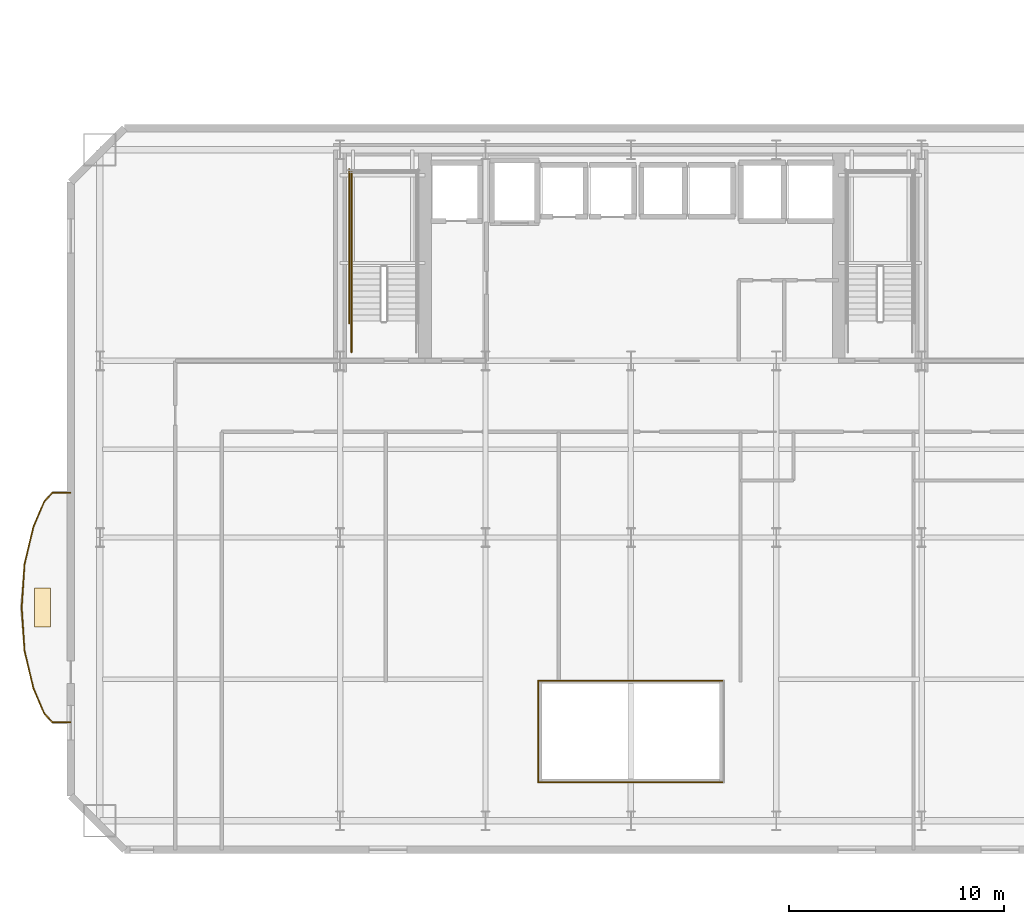
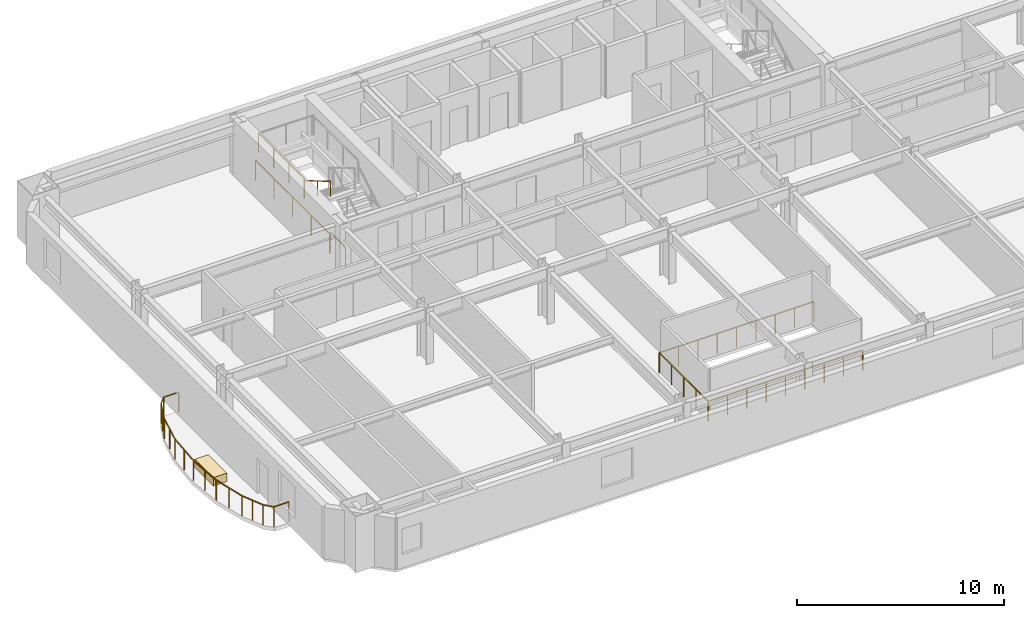
# One storey, part 11 of 16: 17 railings, 1 covering.
"""IFC4 building model written with IfcOpenShell, lengths in metres."""

from ifc_helpers import new_model, si_unit, direction, frame, origin, origin_2d, place, context, subcontext, project, spatial, rectangle, extrude, material, layer, layer_set, type_object, element, save


model = new_model("IFC4")

# Units and contexts
model_context = context("Model", 3, precision=1e-05, world=origin(), true_north=direction((0.0, 1.0)))
body_context = subcontext(model_context, "Body", "Model", "MODEL_VIEW")
ifc_project = project(units=[si_unit("LENGTHUNIT", "METRE"), si_unit("AREAUNIT", "SQUARE_METRE"), si_unit("VOLUMEUNIT", "CUBIC_METRE"), si_unit("PLANEANGLEUNIT", "RADIAN"), si_unit("MASSUNIT", "GRAM", prefix="KILO")], contexts=[model_context])

# Site, building, storey
site_placement = place(None, origin())
site = spatial("IfcSite", under=ifc_project, at=site_placement, CompositionType="ELEMENT")
building_placement = place(site_placement, origin())
building = spatial("IfcBuilding", under=site, at=building_placement, Name="Haevon Station Towers", CompositionType="ELEMENT")
storey_placement = place(building_placement, frame((0.0, 0.0, 57.0)))
storey = spatial("IfcBuildingStorey", under=building, at=storey_placement, Name="L14", CompositionType="ELEMENT", Elevation=57.0)

# Railings
ifc_material_1 = material(Name="Steel S355", Category="steel")
railing_type_1 = type_object("IfcRailingType", Name="BAL-ATR1200", PredefinedType="BALUSTRADE", material=ifc_material_1)
railing_1_placement = place(storey_placement, frame((33.19482421875, 18.642333984375, 0.0)))
element("IfcRailing", 1, at=railing_1_placement, inside=storey, type_object=railing_type_1, Name="L14 Atrium Void Balustrade 1", PredefinedType="BALUSTRADE", context=body_context, shape_type="SweptSolid", body=[
    extrude(rectangle(XDim=0.048095703125, YDim=0.048095703125, at=origin_2d()), frame((0.0, 0.0, 1.17578125), z_axis=(1.0, 0.0, 0.0), x_axis=(0.0, 1.0, 0.0)), (0.0, 0.0, 1.0), 8.6103515625),
    extrude(rectangle(XDim=0.0419921875, YDim=0.0419921875, at=origin_2d()), origin(), (0.0, 0.0, 1.0), 1.15185546875),
    extrude(rectangle(XDim=0.0419921875, YDim=0.0419921875, at=origin_2d()), frame((1.076171875, 0.0, 0.0)), (0.0, 0.0, 1.0), 1.15185546875),
    extrude(rectangle(XDim=0.0419921875, YDim=0.0419921875, at=origin_2d()), frame((2.152587890625, 0.0, 0.0)), (0.0, 0.0, 1.0), 1.15185546875),
    extrude(rectangle(XDim=0.0419921875, YDim=0.0419921875, at=origin_2d()), frame((3.22900390625, 0.0, 0.0)), (0.0, 0.0, 1.0), 1.15185546875),
    extrude(rectangle(XDim=0.0419921875, YDim=0.0419921875, at=origin_2d()), frame((4.30517578125, 0.0, 0.0)), (0.0, 0.0, 1.0), 1.15185546875),
    extrude(rectangle(XDim=0.0419921875, YDim=0.0419921875, at=origin_2d()), frame((5.38134765625, 0.0, 0.0)), (0.0, 0.0, 1.0), 1.15185546875),
    extrude(rectangle(XDim=0.0419921875, YDim=0.0419921875, at=origin_2d()), frame((6.457763671875, 0.0, 0.0)), (0.0, 0.0, 1.0), 1.15185546875),
    extrude(rectangle(XDim=0.0419921875, YDim=0.0419921875, at=origin_2d()), frame((7.5341796875, 0.0, 0.0)), (0.0, 0.0, 1.0), 1.15185546875),
    extrude(rectangle(XDim=0.0419921875, YDim=0.0419921875, at=origin_2d()), frame((8.6103515625, 0.0, 0.0)), (0.0, 0.0, 1.0), 1.15185546875),
])
railing_2_placement = place(storey_placement, frame((41.80517578125, 23.357666015625, 0.0)))
element("IfcRailing", 2, at=railing_2_placement, inside=storey, type_object=railing_type_1, Name="L14 Atrium Void Balustrade 3", PredefinedType="BALUSTRADE", context=body_context, shape_type="SweptSolid", body=[
    extrude(rectangle(XDim=0.048095703125, YDim=0.048095703125, at=origin_2d()), frame((0.0, 0.0, 1.17578125), z_axis=(-1.0, 0.0, 0.0), x_axis=(0.0, -1.0, 0.0)), (0.0, 0.0, 1.0), 8.6103515625),
    extrude(rectangle(XDim=0.0419921875, YDim=0.0419921875, at=origin_2d()), origin(), (0.0, 0.0, 1.0), 1.15185546875),
    extrude(rectangle(XDim=0.0419921875, YDim=0.0419921875, at=origin_2d()), frame((-1.076171875, 0.0, 0.0)), (0.0, 0.0, 1.0), 1.15185546875),
    extrude(rectangle(XDim=0.0419921875, YDim=0.0419921875, at=origin_2d()), frame((-2.152587890625, 0.0, 0.0)), (0.0, 0.0, 1.0), 1.15185546875),
    extrude(rectangle(XDim=0.0419921875, YDim=0.0419921875, at=origin_2d()), frame((-3.22900390625, 0.0, 0.0)), (0.0, 0.0, 1.0), 1.15185546875),
    extrude(rectangle(XDim=0.0419921875, YDim=0.0419921875, at=origin_2d()), frame((-4.30517578125, 0.0, 0.0)), (0.0, 0.0, 1.0), 1.15185546875),
    extrude(rectangle(XDim=0.0419921875, YDim=0.0419921875, at=origin_2d()), frame((-5.38134765625, 0.0, 0.0)), (0.0, 0.0, 1.0), 1.15185546875),
    extrude(rectangle(XDim=0.0419921875, YDim=0.0419921875, at=origin_2d()), frame((-6.457763671875, 0.0, 0.0)), (0.0, 0.0, 1.0), 1.15185546875),
    extrude(rectangle(XDim=0.0419921875, YDim=0.0419921875, at=origin_2d()), frame((-7.5341796875, 0.0, 0.0)), (0.0, 0.0, 1.0), 1.15185546875),
    extrude(rectangle(XDim=0.0419921875, YDim=0.0419921875, at=origin_2d()), frame((-8.6103515625, 0.0, 0.0)), (0.0, 0.0, 1.0), 1.15185546875),
])
railing_3_placement = place(storey_placement, frame((33.19482421875, 23.357666015625, 0.0)))
element("IfcRailing", 3, at=railing_3_placement, inside=storey, type_object=railing_type_1, Name="L14 Atrium Void Balustrade 4", PredefinedType="BALUSTRADE", context=body_context, shape_type="SweptSolid", body=[
    extrude(rectangle(XDim=0.048095703125, YDim=0.048095703125, at=origin_2d()), frame((0.0, 0.0, 1.17578125), z_axis=(0.0, -1.0, 0.0), x_axis=(1.0, 0.0, 0.0)), (0.0, 0.0, 1.0), 4.71533203125),
    extrude(rectangle(XDim=0.0419921875, YDim=0.0419921875, at=origin_2d()), origin(), (0.0, 0.0, 1.0), 1.15185546875),
    extrude(rectangle(XDim=0.0419921875, YDim=0.0419921875, at=origin_2d()), frame((0.0, -1.1787109375, 0.0)), (0.0, 0.0, 1.0), 1.15185546875),
    extrude(rectangle(XDim=0.0419921875, YDim=0.0419921875, at=origin_2d()), frame((0.0, -2.357666015625, 0.0)), (0.0, 0.0, 1.0), 1.15185546875),
    extrude(rectangle(XDim=0.0419921875, YDim=0.0419921875, at=origin_2d()), frame((0.0, -3.53662109375, 0.0)), (0.0, 0.0, 1.0), 1.15185546875),
    extrude(rectangle(XDim=0.0419921875, YDim=0.0419921875, at=origin_2d()), frame((0.0, -4.71533203125, 0.0)), (0.0, 0.0, 1.0), 1.15185546875),
])
railing_type_2 = type_object("IfcRailingType", Name="GRD-EXT1200", PredefinedType="GUARDRAIL", material=ifc_material_1)
railing_4_placement = place(storey_placement, frame((11.476318359375, 32.072265625, 0.0)))
element("IfcRailing", 4, at=railing_4_placement, inside=storey, type_object=railing_type_2, Name="L14 Perimeter Guardrail 1", PredefinedType="GUARDRAIL", context=body_context, shape_type="SweptSolid", body=[
    extrude(rectangle(XDim=0.048095703125, YDim=0.048095703125, at=origin_2d()), frame((0.0, 0.0, 1.17578125), z_axis=(-0.999997284808, -0.002330317005, 0.0), x_axis=(0.002330317005, -0.999997284808, 0.0)), (0.0, 0.0, 1.0), 0.838134765625),
    extrude(rectangle(XDim=0.0419921875, YDim=0.0419921875, at=origin_2d()), origin(), (0.0, 0.0, 1.0), 1.15185546875),
    extrude(rectangle(XDim=0.0419921875, YDim=0.0419921875, at=origin_2d()), frame((-0.838134765625, -0.001953125, 0.0)), (0.0, 0.0, 1.0), 1.15185546875),
])
railing_5_placement = place(storey_placement, frame((10.63818359375, 32.0703125, 0.0)))
element("IfcRailing", 5, at=railing_5_placement, inside=storey, type_object=railing_type_2, Name="L14 Perimeter Guardrail 2", PredefinedType="GUARDRAIL", context=body_context, shape_type="SweptSolid", body=[
    extrude(rectangle(XDim=0.048095703125, YDim=0.048095703125, at=origin_2d()), frame((0.0, 0.0, 1.17578125), z_axis=(-0.67582366234, -0.737063346953, 0.0), x_axis=(0.737063346953, -0.67582366234, 0.0)), (0.0, 0.0, 1.0), 0.55810546875),
    extrude(rectangle(XDim=0.0419921875, YDim=0.0419921875, at=origin_2d()), origin(), (0.0, 0.0, 1.0), 1.15185546875),
    extrude(rectangle(XDim=0.0419921875, YDim=0.0419921875, at=origin_2d()), frame((-0.377197265625, -0.411376953125, 0.0)), (0.0, 0.0, 1.0), 1.15185546875),
])
railing_6_placement = place(storey_placement, frame((10.260986328125, 31.658935546875, 0.0)))
element("IfcRailing", 6, at=railing_6_placement, inside=storey, type_object=railing_type_2, Name="L14 Perimeter Guardrail 3", PredefinedType="GUARDRAIL", context=body_context, shape_type="SweptSolid", body=[
    extrude(rectangle(XDim=0.048095703125, YDim=0.048095703125, at=origin_2d()), frame((0.0, 0.0, 1.17578125), z_axis=(-0.393154964612, -0.919472225682, 0.0), x_axis=(0.919472225682, -0.393154964612, 0.0)), (0.0, 0.0, 1.0), 1.2724609375),
    extrude(rectangle(XDim=0.0419921875, YDim=0.0419921875, at=origin_2d()), origin(), (0.0, 0.0, 1.0), 1.15185546875),
    extrude(rectangle(XDim=0.0419921875, YDim=0.0419921875, at=origin_2d()), frame((-0.25, -0.5849609375, 0.0)), (0.0, 0.0, 1.0), 1.15185546875),
    extrude(rectangle(XDim=0.0419921875, YDim=0.0419921875, at=origin_2d()), frame((-0.500244140625, -1.169921875, 0.0)), (0.0, 0.0, 1.0), 1.15185546875),
])
railing_7_placement = place(storey_placement, frame((9.7607421875, 30.489013671875, 0.0)))
element("IfcRailing", 7, at=railing_7_placement, inside=storey, type_object=railing_type_2, Name="L14 Perimeter Guardrail 4", PredefinedType="GUARDRAIL", context=body_context, shape_type="SweptSolid", body=[
    extrude(rectangle(XDim=0.048095703125, YDim=0.048095703125, at=origin_2d()), frame((0.0, 0.0, 1.17578125), z_axis=(-0.230320614681, -0.973114800244, 0.0), x_axis=(0.973114800244, -0.230320614681, 0.0)), (0.0, 0.0, 1.0), 1.794677734375),
    extrude(rectangle(XDim=0.0419921875, YDim=0.0419921875, at=origin_2d()), origin(), (0.0, 0.0, 1.0), 1.15185546875),
    extrude(rectangle(XDim=0.0419921875, YDim=0.0419921875, at=origin_2d()), frame((-0.20654296875, -0.873046875, 0.0)), (0.0, 0.0, 1.0), 1.15185546875),
    extrude(rectangle(XDim=0.0419921875, YDim=0.0419921875, at=origin_2d()), frame((-0.413330078125, -1.746337890625, 0.0)), (0.0, 0.0, 1.0), 1.15185546875),
])
railing_8_placement = place(storey_placement, frame((9.347412109375, 28.74267578125, 0.0)))
element("IfcRailing", 8, at=railing_8_placement, inside=storey, type_object=railing_type_2, Name="L14 Perimeter Guardrail 5", PredefinedType="GUARDRAIL", context=body_context, shape_type="SweptSolid", body=[
    extrude(rectangle(XDim=0.048095703125, YDim=0.048095703125, at=origin_2d()), frame((0.0, 0.0, 1.17578125), z_axis=(-0.063215626586, -0.997999892062, 0.0), x_axis=(0.997999892062, -0.063215626586, 0.0)), (0.0, 0.0, 1.0), 1.99658203125),
    extrude(rectangle(XDim=0.0419921875, YDim=0.0419921875, at=origin_2d()), origin(), (0.0, 0.0, 1.0), 1.15185546875),
    extrude(rectangle(XDim=0.0419921875, YDim=0.0419921875, at=origin_2d()), frame((-0.06298828125, -0.996337890625, 0.0)), (0.0, 0.0, 1.0), 1.15185546875),
    extrude(rectangle(XDim=0.0419921875, YDim=0.0419921875, at=origin_2d()), frame((-0.126220703125, -1.99267578125, 0.0)), (0.0, 0.0, 1.0), 1.15185546875),
])
railing_9_placement = place(storey_placement, frame((9.22119140625, 26.75, 0.0)))
element("IfcRailing", 9, at=railing_9_placement, inside=storey, type_object=railing_type_2, Name="L14 Perimeter Guardrail 6", PredefinedType="GUARDRAIL", context=body_context, shape_type="SweptSolid", body=[
    extrude(rectangle(XDim=0.048095703125, YDim=0.048095703125, at=origin_2d()), frame((0.0, 0.0, 1.17578125), z_axis=(0.063215626586, -0.997999892062, 0.0), x_axis=(0.997999892062, 0.063215626586, 0.0)), (0.0, 0.0, 1.0), 1.99658203125),
    extrude(rectangle(XDim=0.0419921875, YDim=0.0419921875, at=origin_2d()), origin(), (0.0, 0.0, 1.0), 1.15185546875),
    extrude(rectangle(XDim=0.0419921875, YDim=0.0419921875, at=origin_2d()), frame((0.06298828125, -0.996337890625, 0.0)), (0.0, 0.0, 1.0), 1.15185546875),
    extrude(rectangle(XDim=0.0419921875, YDim=0.0419921875, at=origin_2d()), frame((0.126220703125, -1.99267578125, 0.0)), (0.0, 0.0, 1.0), 1.15185546875),
])
railing_10_placement = place(storey_placement, frame((9.347412109375, 24.75732421875, 0.0)))
element("IfcRailing", 10, at=railing_10_placement, inside=storey, type_object=railing_type_2, Name="L14 Perimeter Guardrail 7", PredefinedType="GUARDRAIL", context=body_context, shape_type="SweptSolid", body=[
    extrude(rectangle(XDim=0.048095703125, YDim=0.048095703125, at=origin_2d()), frame((0.0, 0.0, 1.17578125), z_axis=(0.230320614681, -0.973114800244, 0.0), x_axis=(0.973114800244, 0.230320614681, 0.0)), (0.0, 0.0, 1.0), 1.794677734375),
    extrude(rectangle(XDim=0.0419921875, YDim=0.0419921875, at=origin_2d()), origin(), (0.0, 0.0, 1.0), 1.15185546875),
    extrude(rectangle(XDim=0.0419921875, YDim=0.0419921875, at=origin_2d()), frame((0.20654296875, -0.873046875, 0.0)), (0.0, 0.0, 1.0), 1.15185546875),
    extrude(rectangle(XDim=0.0419921875, YDim=0.0419921875, at=origin_2d()), frame((0.413330078125, -1.746337890625, 0.0)), (0.0, 0.0, 1.0), 1.15185546875),
])
railing_11_placement = place(storey_placement, frame((9.7607421875, 23.010986328125, 0.0)))
element("IfcRailing", 11, at=railing_11_placement, inside=storey, type_object=railing_type_2, Name="L14 Perimeter Guardrail 8", PredefinedType="GUARDRAIL", context=body_context, shape_type="SweptSolid", body=[
    extrude(rectangle(XDim=0.048095703125, YDim=0.048095703125, at=origin_2d()), frame((0.0, 0.0, 1.17578125), z_axis=(0.393154964612, -0.919472225682, 0.0), x_axis=(0.919472225682, 0.393154964612, 0.0)), (0.0, 0.0, 1.0), 1.2724609375),
    extrude(rectangle(XDim=0.0419921875, YDim=0.0419921875, at=origin_2d()), origin(), (0.0, 0.0, 1.0), 1.15185546875),
    extrude(rectangle(XDim=0.0419921875, YDim=0.0419921875, at=origin_2d()), frame((0.25, -0.5849609375, 0.0)), (0.0, 0.0, 1.0), 1.15185546875),
    extrude(rectangle(XDim=0.0419921875, YDim=0.0419921875, at=origin_2d()), frame((0.500244140625, -1.169921875, 0.0)), (0.0, 0.0, 1.0), 1.15185546875),
])
railing_12_placement = place(storey_placement, frame((10.260986328125, 21.841064453125, 0.0)))
element("IfcRailing", 12, at=railing_12_placement, inside=storey, type_object=railing_type_2, Name="L14 Perimeter Guardrail 9", PredefinedType="GUARDRAIL", context=body_context, shape_type="SweptSolid", body=[
    extrude(rectangle(XDim=0.048095703125, YDim=0.048095703125, at=origin_2d()), frame((0.0, 0.0, 1.17578125), z_axis=(0.67582366234, -0.737063346953, 0.0), x_axis=(0.737063346953, 0.67582366234, 0.0)), (0.0, 0.0, 1.0), 0.55810546875),
    extrude(rectangle(XDim=0.0419921875, YDim=0.0419921875, at=origin_2d()), origin(), (0.0, 0.0, 1.0), 1.15185546875),
    extrude(rectangle(XDim=0.0419921875, YDim=0.0419921875, at=origin_2d()), frame((0.377197265625, -0.411376953125, 0.0)), (0.0, 0.0, 1.0), 1.15185546875),
])
railing_13_placement = place(storey_placement, frame((10.63818359375, 21.4296875, 0.0)))
element("IfcRailing", 13, at=railing_13_placement, inside=storey, type_object=railing_type_2, Name="L14 Perimeter Guardrail 10", PredefinedType="GUARDRAIL", context=body_context, shape_type="SweptSolid", body=[
    extrude(rectangle(XDim=0.048095703125, YDim=0.048095703125, at=origin_2d()), frame((0.0, 0.0, 1.17578125), z_axis=(0.999997284808, -0.002330317005, 0.0), x_axis=(0.002330317005, 0.999997284808, 0.0)), (0.0, 0.0, 1.0), 0.838134765625),
    extrude(rectangle(XDim=0.0419921875, YDim=0.0419921875, at=origin_2d()), origin(), (0.0, 0.0, 1.0), 1.15185546875),
    extrude(rectangle(XDim=0.0419921875, YDim=0.0419921875, at=origin_2d()), frame((0.838134765625, -0.001953125, 0.0)), (0.0, 0.0, 1.0), 1.15185546875),
])
railing_type_3 = type_object("IfcRailingType", Name="GRD-STR1200", PredefinedType="GUARDRAIL", material=ifc_material_1)
railing_14_placement = place(storey_placement, frame((24.530029296875, 42.570068359375, 1.64990234375)))
element("IfcRailing", 14, at=railing_14_placement, inside=storey, type_object=railing_type_3, Name="L14 ST1 Stair Guard 4", PredefinedType="GUARDRAIL", context=body_context, shape_type="SweptSolid", body=[
    extrude(rectangle(XDim=0.048095703125, YDim=0.048095703125, at=origin_2d()), frame((0.0, 0.0, 1.17578125), z_axis=(0.0, 1.0, 0.0), x_axis=(-1.0, 0.0, 0.0)), (0.0, 0.0, 1.0), 4.429931640625),
    extrude(rectangle(XDim=0.0419921875, YDim=0.0419921875, at=origin_2d()), origin(), (0.0, 0.0, 1.0), 1.15185546875),
    extrude(rectangle(XDim=0.0419921875, YDim=0.0419921875, at=origin_2d()), frame((0.0, 1.4765625, 0.0)), (0.0, 0.0, 1.0), 1.15185546875),
    extrude(rectangle(XDim=0.0419921875, YDim=0.0419921875, at=origin_2d()), frame((0.0, 2.953369140625, 0.0)), (0.0, 0.0, 1.0), 1.15185546875),
    extrude(rectangle(XDim=0.0419921875, YDim=0.0419921875, at=origin_2d()), frame((0.0, 4.429931640625, 0.0)), (0.0, 0.0, 1.0), 1.15185546875),
])
railing_15_placement = place(storey_placement, frame((24.530029296875, 38.60009765625, 0.0)))
element("IfcRailing", 15, at=railing_15_placement, inside=storey, type_object=railing_type_3, Name="L14 ST1 Stair Guard 9", PredefinedType="GUARDRAIL", context=body_context, shape_type="SweptSolid", body=[
    extrude(rectangle(XDim=0.048095703125, YDim=0.048095703125, at=origin_2d()), frame((0.0, 0.0, 1.17578125), z_axis=(0.0, 1.0, 0.0), x_axis=(-1.0, 0.0, 0.0)), (0.0, 0.0, 1.0), 1.449951171875),
    extrude(rectangle(XDim=0.0419921875, YDim=0.0419921875, at=origin_2d()), origin(), (0.0, 0.0, 1.0), 1.15185546875),
    extrude(rectangle(XDim=0.0419921875, YDim=0.0419921875, at=origin_2d()), frame((0.0, 1.449951171875, 0.0)), (0.0, 0.0, 1.0), 1.15185546875),
])
railing_16_placement = place(storey_placement, frame((24.429931640625, 39.949951171875, 0.0)))
element("IfcRailing", 16, at=railing_16_placement, inside=storey, type_object=railing_type_3, Name="L14 ST1 Stair Guard 11", PredefinedType="GUARDRAIL", context=body_context, shape_type="SweptSolid", body=[
    extrude(rectangle(XDim=0.048095703125, YDim=0.048095703125, at=origin_2d()), frame((0.0, 0.0, 1.17578125), z_axis=(0.0, 1.0, 0.0), x_axis=(-1.0, 0.0, 0.0)), (0.0, 0.0, 1.0), 7.150146484375),
    extrude(rectangle(XDim=0.0419921875, YDim=0.0419921875, at=origin_2d()), origin(), (0.0, 0.0, 1.0), 1.15185546875),
    extrude(rectangle(XDim=0.0419921875, YDim=0.0419921875, at=origin_2d()), frame((0.0, 1.78759765625, 0.0)), (0.0, 0.0, 1.0), 1.15185546875),
    extrude(rectangle(XDim=0.0419921875, YDim=0.0419921875, at=origin_2d()), frame((0.0, 3.5751953125, 0.0)), (0.0, 0.0, 1.0), 1.15185546875),
    extrude(rectangle(XDim=0.0419921875, YDim=0.0419921875, at=origin_2d()), frame((0.0, 5.362548828125, 0.0)), (0.0, 0.0, 1.0), 1.15185546875),
    extrude(rectangle(XDim=0.0419921875, YDim=0.0419921875, at=origin_2d()), frame((0.0, 7.150146484375, 0.0)), (0.0, 0.0, 1.0), 1.15185546875),
])
railing_type_4 = type_object("IfcRailingType", Name="HND-STR900", PredefinedType="HANDRAIL", material=ifc_material_1)
railing_17_placement = place(storey_placement, frame((24.530029296875, 42.570068359375, 1.81494140625)))
element("IfcRailing", 17, at=railing_17_placement, inside=storey, type_object=railing_type_4, Name="L14 ST1 Stair Handrail 2", PredefinedType="HANDRAIL", context=body_context, shape_type="SweptSolid", body=[
    extrude(rectangle(XDim=0.048095703125, YDim=0.048095703125, at=origin_2d()), frame((0.0, 0.0, 0.8759765625), z_axis=(0.0, -0.86152411907, 0.507716645641), x_axis=(1.0, 0.0, 0.0)), (0.0, 0.0, 1.0), 2.925048828125),
    extrude(rectangle(XDim=0.0419921875, YDim=0.0419921875, at=origin_2d()), origin(), (0.0, 0.0, 1.0), 0.851806640625),
    extrude(rectangle(XDim=0.0419921875, YDim=0.0419921875, at=origin_2d()), frame((0.0, -1.260009765625, 0.74267578125)), (0.0, 0.0, 1.0), 0.851806640625),
    extrude(rectangle(XDim=0.0419921875, YDim=0.0419921875, at=origin_2d()), frame((0.0, -2.52001953125, 1.485107421875)), (0.0, 0.0, 1.0), 0.851806640625),
])

# Covering
ifc_material_2 = material(Name="Architectural planter GRC", Category="concrete")
ifc_layer = layer(ifc_material_2, 0.550048828125)
ifc_layer_set = layer_set([ifc_layer], Name="Architectural planter GRC")
covering_type = type_object("IfcCoveringType", Name="PLN-GRC550", PredefinedType="MOLDING", material=ifc_layer_set)
covering_placement = place(storey_placement, frame((10.189208984375, 26.75, 0.0), z_axis=(0.0, 0.0, 1.0), x_axis=(1.0, 0.0, 0.0)))
element("IfcCovering", 18, at=covering_placement, inside=storey, type_object=covering_type, Name="Tower 1 L14 Scalloped Balcony PLANTER", PredefinedType="MOLDING", context=body_context, shape_type="SweptSolid", body=[
    extrude(rectangle(XDim=0.75, YDim=1.800048828125, at=origin_2d()), origin(), (0.0, 0.0, 1.0), 0.5),
])

save(model, "model.ifc")
